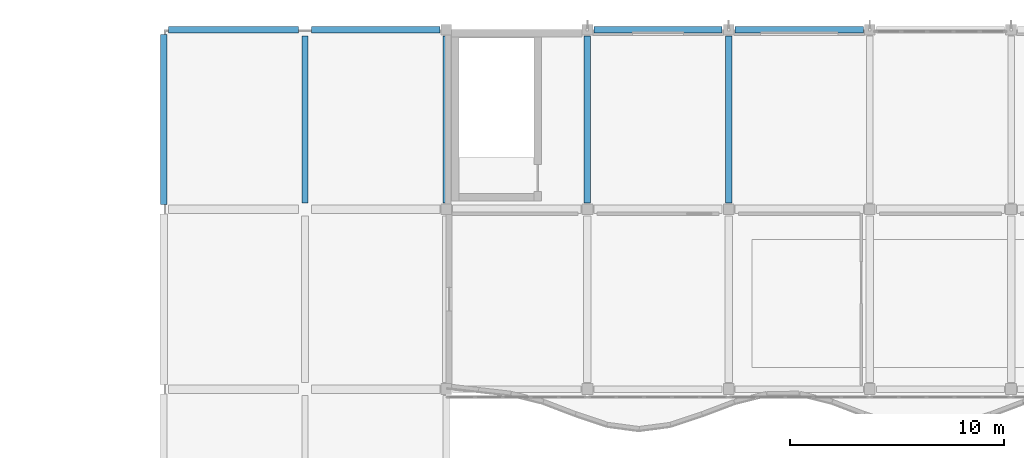
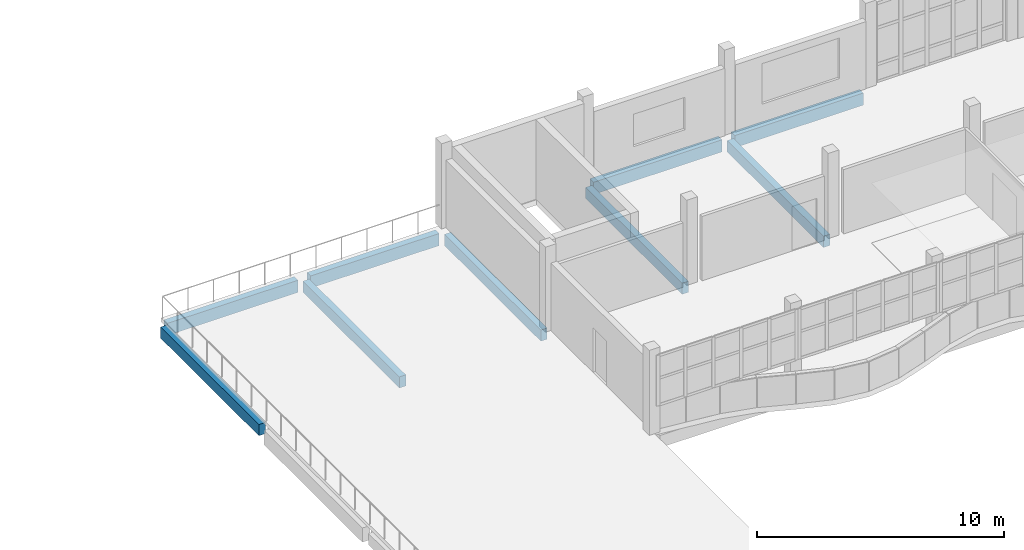
# One storey, part 19 of 78: 9 beams.
"""IFC4 building model written with IfcOpenShell, lengths in metres."""

import ifcopenshell
import ifcopenshell.guid

model = None  # the IFC model being written
_history = None  # IfcOwnerHistory: only IFC2X3 demands one
_inside = {}  # id of a spatial element -> (the spatial element, [elements in it])
_under = {}  # id of a project, library or spatial element -> (it, [spatial elements below it])
_declared = {}  # id of a project -> (the project, [libraries it declares])
_typed = {}  # id of a type object -> (the type object, [elements of that type])
_made_of = {}  # id of a material, layer set ... -> (it, [elements and type objects made of it])


def new_model(schema):
    """Start an empty IFC model of exactly this schema.

    Asked for "IFC4X3", IfcOpenShell would pick the latest addendum, in which some entities
    have other attributes; the version numbers below select the first issue.
    IFC2X3 requires an IfcOwnerHistory on every rooted entity: one is made here for all.
    """
    global model, _history
    if schema == "IFC4X3":
        model = ifcopenshell.file(schema_version=(4, 3, 0, 0))
    else:
        model = ifcopenshell.file(schema=schema)
    _inside.clear()
    _under.clear()
    _declared.clear()
    _typed.clear()
    _made_of.clear()
    _history = None
    if model.schema == "IFC2X3":
        org = make("IfcOrganization", Name="unknown")
        user = make(
            "IfcPersonAndOrganization",
            ThePerson=make("IfcPerson", FamilyName="unknown"),
            TheOrganization=org,
        )
        app = make(
            "IfcApplication",
            ApplicationDeveloper=org,
            Version="unknown",
            ApplicationFullName="unknown",
            ApplicationIdentifier="unknown",
        )
        _history = make(
            "IfcOwnerHistory",
            OwningUser=user,
            OwningApplication=app,
            ChangeAction="ADDED",
            CreationDate=0,
        )
    return model


def make(cls, **values):
    """One entity of the class cls with the attributes given. An attribute that is None is left unset."""
    return model.create_entity(
        cls, **{name: value for name, value in values.items() if value is not None}
    )


def rooted(cls, **values):
    """An entity with a GlobalId (a new one), such as an element, a storey or a relation."""
    return make(cls, GlobalId=ifcopenshell.guid.new(), OwnerHistory=_history, **values)


def si_unit(unit_type, name, prefix=None):
    """IfcSIUnit, for example si_unit("LENGTHUNIT", "METRE", prefix="MILLI")."""
    return make("IfcSIUnit", UnitType=unit_type, Prefix=prefix, Name=name)


def assignment(units):
    """IfcUnitAssignment: the units of a project."""
    return None if units is None else make("IfcUnitAssignment", Units=units)


def point(xyz):
    """IfcCartesianPoint."""
    return None if xyz is None else make("IfcCartesianPoint", Coordinates=xyz)


def direction(xyz):
    """IfcDirection."""
    return None if xyz is None else make("IfcDirection", DirectionRatios=xyz)


def frame(location, z_axis=None, x_axis=None):
    """IfcAxis2Placement3D, a coordinate frame: its origin and axes. An axis left out is left unset."""
    return make(
        "IfcAxis2Placement3D",
        Location=point(location),
        Axis=direction(z_axis),
        RefDirection=direction(x_axis),
    )


def frame_2d(location, x_axis=None):
    """IfcAxis2Placement2D, a coordinate frame in the plane: its origin and x axis."""
    return make(
        "IfcAxis2Placement2D", Location=point(location), RefDirection=direction(x_axis)
    )


def origin():
    """The frame at (0, 0, 0) with its axes left unset."""
    return frame((0.0, 0.0, 0.0))


def origin_2d():
    """The frame at (0, 0) in the plane with its x axis left unset."""
    return frame_2d((0.0, 0.0))


def place(relative_to, where):
    """IfcLocalPlacement: puts the frame where relative to a parent placement (None: the world)."""
    return make(
        "IfcLocalPlacement", PlacementRelTo=relative_to, RelativePlacement=where
    )


def context(
    kind, dimensions, precision=None, world=None, true_north=None, identifier=None
):
    """IfcGeometricRepresentationContext, for example the 3D "Model" context."""
    return make(
        "IfcGeometricRepresentationContext",
        ContextIdentifier=identifier,
        ContextType=kind,
        CoordinateSpaceDimension=dimensions,
        Precision=precision,
        WorldCoordinateSystem=world,
        TrueNorth=true_north,
    )


def subcontext(parent, identifier, kind, view, scale=None):
    """IfcGeometricRepresentationSubContext, for example "Body" below "Model"."""
    return make(
        "IfcGeometricRepresentationSubContext",
        ContextIdentifier=identifier,
        ContextType=kind,
        ParentContext=parent,
        TargetScale=scale,
        TargetView=view,
    )


def project(units=None, contexts=None):
    """IfcProject with its units and contexts."""
    return rooted(
        "IfcProject",
        Name="project",
        RepresentationContexts=contexts,
        UnitsInContext=assignment(units),
    )


def spatial(cls, under=None, at=None, **own):
    """A site, building, storey or space (cls), placed at a placement, below another one or the project."""
    s = rooted(cls, ObjectPlacement=at, **own)
    if under is not None:
        _under.setdefault(under.id(), (under, []))[1].append(s)
    return s


def profile(cls, at=None, kind="AREA", **sizes):
    """A parametric profile (cls). Its sizes go by their IFC names, for example OverallWidth=200.0."""
    return make(cls, ProfileType=kind, Position=at, **sizes)


def rectangle(**sizes):
    """IfcRectangleProfileDef."""
    return profile("IfcRectangleProfileDef", **sizes)


def extrude(swept, where, along, depth):
    """IfcExtrudedAreaSolid: the profile swept, set in the frame where, extruded along a direction by depth."""
    return make(
        "IfcExtrudedAreaSolid",
        SweptArea=swept,
        Position=where,
        ExtrudedDirection=direction(along),
        Depth=depth,
    )


def shape(context_of_items, identifier, shape_type, items):
    """IfcShapeRepresentation: the items that make up one representation, for example the "Body"."""
    return make(
        "IfcShapeRepresentation",
        ContextOfItems=context_of_items,
        RepresentationIdentifier=identifier,
        RepresentationType=shape_type,
        Items=items,
    )


def material(Name=None, Category=None):
    """IfcMaterial."""
    return make("IfcMaterial", Name=Name, Category=Category)


def material_profile(
    of_material, cross_section, Name=None, Category=None, Priority=None
):
    """IfcMaterialProfile: a cross section and its material."""
    return make(
        "IfcMaterialProfile",
        Name=Name,
        Material=of_material,
        Profile=cross_section,
        Priority=Priority,
        Category=Category,
    )


def profile_set(profiles, Name=None, composite=None):
    """IfcMaterialProfileSet."""
    return make(
        "IfcMaterialProfileSet",
        Name=Name,
        MaterialProfiles=profiles,
        CompositeProfile=composite,
    )


def made_of(thing, what):
    """Note that an element or type object is made of a material, layer set ...; save() writes the relation."""
    if what is not None:
        _made_of.setdefault(what.id(), (what, []))[1].append(thing)
    return thing


def type_object(cls, material=None, **own):
    """A type object (cls), such as IfcWallType, which elements share."""
    return made_of(rooted(cls, **own), material)


def element(
    cls,
    number,
    at=None,
    inside=None,
    cuts=None,
    type_object=None,
    material=None,
    context=None,
    identifier="Body",
    shape_type=None,
    held_by="IfcProductDefinitionShape",
    body=None,
    shapes=None,
    **own,
):
    """One element of the class cls, such as IfcWall. Its Tag is "e" and its number.

    at: its placement. inside: the storey or other place that contains it. cuts: it is an
    opening in that element (IfcRelVoidsElement). A single representation is given by context,
    identifier, shape_type and body (its items); several are given by shapes. held_by: the class
    of the entity that holds the representations. save() writes the other relations.
    """
    e = rooted(cls, Tag="e%d" % number, ObjectPlacement=at, **own)
    if body is not None:
        shapes = [shape(context, identifier, shape_type, body)]
    if shapes is not None:
        e.Representation = make(held_by, Representations=shapes)
    if inside is not None:
        _inside.setdefault(inside.id(), (inside, []))[1].append(e)
    if cuts is not None:
        rooted(
            "IfcRelVoidsElement", RelatingBuildingElement=cuts, RelatedOpeningElement=e
        )
    if type_object is not None:
        _typed.setdefault(type_object.id(), (type_object, []))[1].append(e)
    return made_of(e, material)


def aggregate(whole, parts):
    """IfcRelAggregates: a whole, such as a stair, and the parts it consists of."""
    return rooted("IfcRelAggregates", RelatingObject=whole, RelatedObjects=parts)


def save(model, path):
    """Write the relations noted so far, then the file.

    IfcRelAggregates (storeys below a building ...), IfcRelContainedInSpatialStructure (elements
    in a storey), IfcRelDefinesByType, IfcRelAssociatesMaterial and IfcRelDeclares: one each for
    every whole, place, type object, material and project.
    """
    for whole, parts in _under.values():
        aggregate(whole, parts)
    for where, things in _inside.values():
        rooted(
            "IfcRelContainedInSpatialStructure",
            RelatedElements=things,
            RelatingStructure=where,
        )
    for kind, things in _typed.values():
        rooted("IfcRelDefinesByType", RelatedObjects=things, RelatingType=kind)
    for what, things in _made_of.values():
        rooted("IfcRelAssociatesMaterial", RelatedObjects=things, RelatingMaterial=what)
    for by, libraries in _declared.values():
        rooted("IfcRelDeclares", RelatingContext=by, RelatedDefinitions=libraries)
    model.write(path)


model = new_model("IFC4")

# Units and contexts
model_context = context("Model", 3, precision=1e-05, world=origin(), true_north=direction((0.0, 1.0)))
body_context = subcontext(model_context, "Body", "Model", "MODEL_VIEW")
ifc_project = project(units=[si_unit("LENGTHUNIT", "METRE"), si_unit("AREAUNIT", "SQUARE_METRE"), si_unit("VOLUMEUNIT", "CUBIC_METRE"), si_unit("PLANEANGLEUNIT", "RADIAN"), si_unit("MASSUNIT", "GRAM", prefix="KILO")], contexts=[model_context])

# Site, building, storey
site_placement = place(None, origin())
site = spatial("IfcSite", under=ifc_project, at=site_placement, CompositionType="ELEMENT")
building_placement = place(site_placement, origin())
building = spatial("IfcBuilding", under=site, at=building_placement, Name="Qaldarim Faculty of Natural and Applied Sciences", CompositionType="ELEMENT")
storey_placement = place(building_placement, frame((0.0, 0.0, 18.60009765625)))
storey = spatial("IfcBuildingStorey", under=building, at=storey_placement, Name="L04", CompositionType="ELEMENT", Elevation=18.60009765625)

# Beams
ifc_material_1 = material(Name="Concrete C40/50", Category="concrete")
ifc_material_profile_1 = material_profile(ifc_material_1, rectangle(XDim=0.300048828125, YDim=0.550048828125, at=origin_2d()), Name="RC-B300x550")
ifc_profile_set_1 = profile_set([ifc_material_profile_1], Name="Concrete C40/50")
beam_type_1 = type_object("IfcBeamType", Name="FloorBeam-RC300x550", PredefinedType="BEAM", material=ifc_profile_set_1)
beam_1_placement = place(storey_placement, frame((33.0, 109.425048828125, -0.53515625), z_axis=(0.0, 1.0, 0.0), x_axis=(-1.0, 0.0, 0.0)))
element("IfcBeam", 1, at=beam_1_placement, inside=storey, type_object=beam_type_1, Name="Beam RC-B300x550 L03 X06/Y14-Y15", PredefinedType="BEAM", context=body_context, shape_type="SweptSolid", body=[
    extrude(rectangle(XDim=0.300048828125, YDim=0.550048828125, at=origin_2d()), origin(), (0.0, 0.0, 1.0), 7.949951171875),
])
for number, where, z_axis, x_axis, name in (
    (2, (39.60009765625, 109.5, -0.53515625), (0.0, 1.0, 0.0), (-1.0, 0.0, 0.0), "Beam RC-B300x550 L03 X07/Y14-Y15"),
    (3, (46.199951171875, 109.5, -0.53515625), (0.0, 1.0, 0.0), (-1.0, 0.0, 0.0), "Beam RC-B300x550 L03 X08/Y14-Y15"),
    (4, (52.800048828125, 109.5, -0.53515625), (0.0, 1.0, 0.0), (-1.0, 0.0, 0.0), "Beam RC-B300x550 L03 X09/Y14-Y15"),
    (5, (59.39990234375, 109.5, -0.53515625), (0.0, 1.0, 0.0), (-1.0, 0.0, 0.0), "Beam RC-B300x550 L03 X10/Y14-Y15"),
):
    element("IfcBeam", number, at=place(storey_placement, frame(where, z_axis=z_axis, x_axis=x_axis)), inside=storey, type_object=beam_type_1, Name=name, PredefinedType="BEAM", context=body_context, shape_type="SweptSolid", body=[
        extrude(rectangle(XDim=0.300048828125, YDim=0.550048828125, at=origin_2d()), origin(), (0.0, 0.0, 1.0), 7.800048828125),
    ])
ifc_material_2 = material(Name="Precast concrete C40/50", Category="concrete")
ifc_material_profile_2 = material_profile(ifc_material_2, rectangle(XDim=0.300048828125, YDim=0.60009765625, at=origin_2d()), Name="RC-SP300x600")
ifc_profile_set_2 = profile_set([ifc_material_profile_2], Name="Precast concrete C40/50")
beam_type_2 = type_object("IfcBeamType", Name="SpandrelBeam-RC300x600", PredefinedType="SPANDREL", material=ifc_profile_set_2)
beam_2_placement = place(storey_placement, frame((33.22509765625, 117.60009765625, -0.56005859375), z_axis=(1.0, 0.0, 0.0), x_axis=(0.0, 1.0, 0.0)))
element("IfcBeam", 6, at=beam_2_placement, inside=storey, type_object=beam_type_2, Name="Beam RC-SP300x600 L03 X06-X07/Y15", PredefinedType="SPANDREL", context=body_context, shape_type="SweptSolid", body=[
    extrude(rectangle(XDim=0.300048828125, YDim=0.60009765625, at=origin_2d()), origin(), (0.0, 0.0, 1.0), 6.074951171875),
])
for number, where, z_axis, x_axis, name in (
    (7, (39.89990234375, 117.60009765625, -0.56005859375), (1.0, 0.0, 0.0), (0.0, 1.0, 0.0), "Beam RC-SP300x600 L03 X07-X08/Y15"),
    (8, (53.10009765625, 117.60009765625, -0.56005859375), (1.0, 0.0, 0.0), (0.0, 1.0, 0.0), "Beam RC-SP300x600 L03 X09-X10/Y15"),
    (9, (59.699951171875, 117.60009765625, -0.56005859375), (1.0, 0.0, 0.0), (0.0, 1.0, 0.0), "Beam RC-SP300x600 L03 X10-X11/Y15"),
):
    element("IfcBeam", number, at=place(storey_placement, frame(where, z_axis=z_axis, x_axis=x_axis)), inside=storey, type_object=beam_type_2, Name=name, PredefinedType="SPANDREL", context=body_context, shape_type="SweptSolid", body=[
        extrude(rectangle(XDim=0.300048828125, YDim=0.60009765625, at=origin_2d()), origin(), (0.0, 0.0, 1.0), 6.0),
    ])

save(model, "model.ifc")
